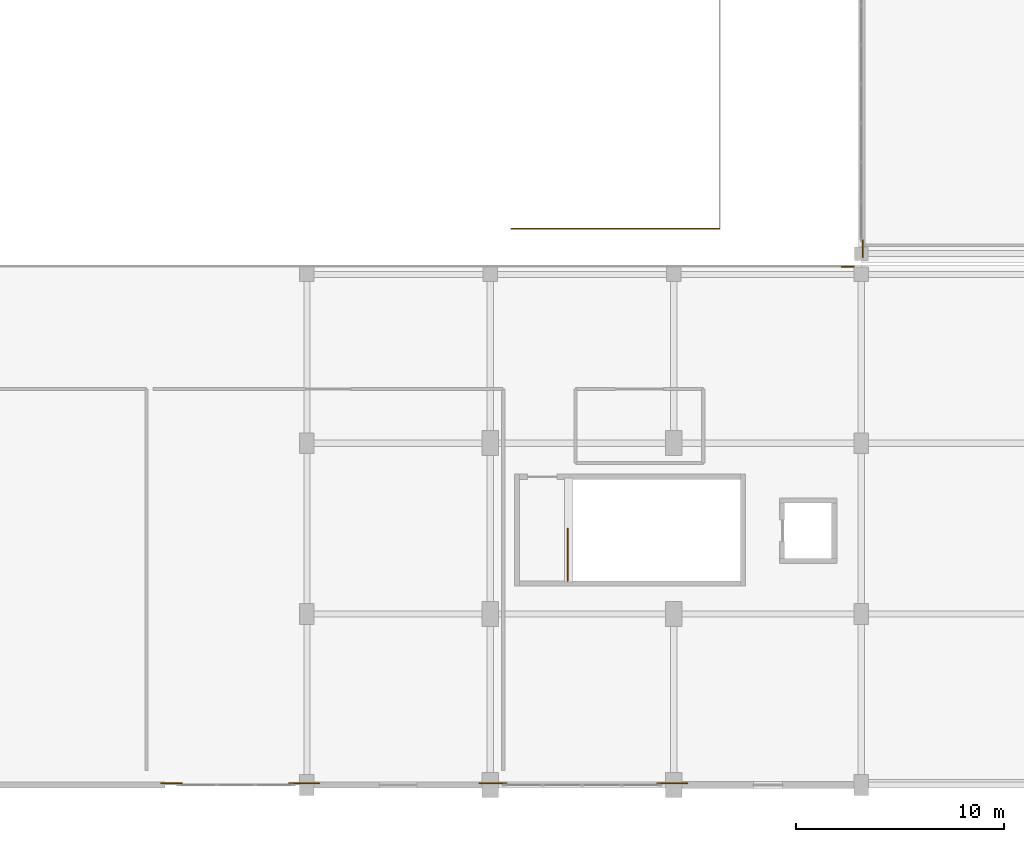
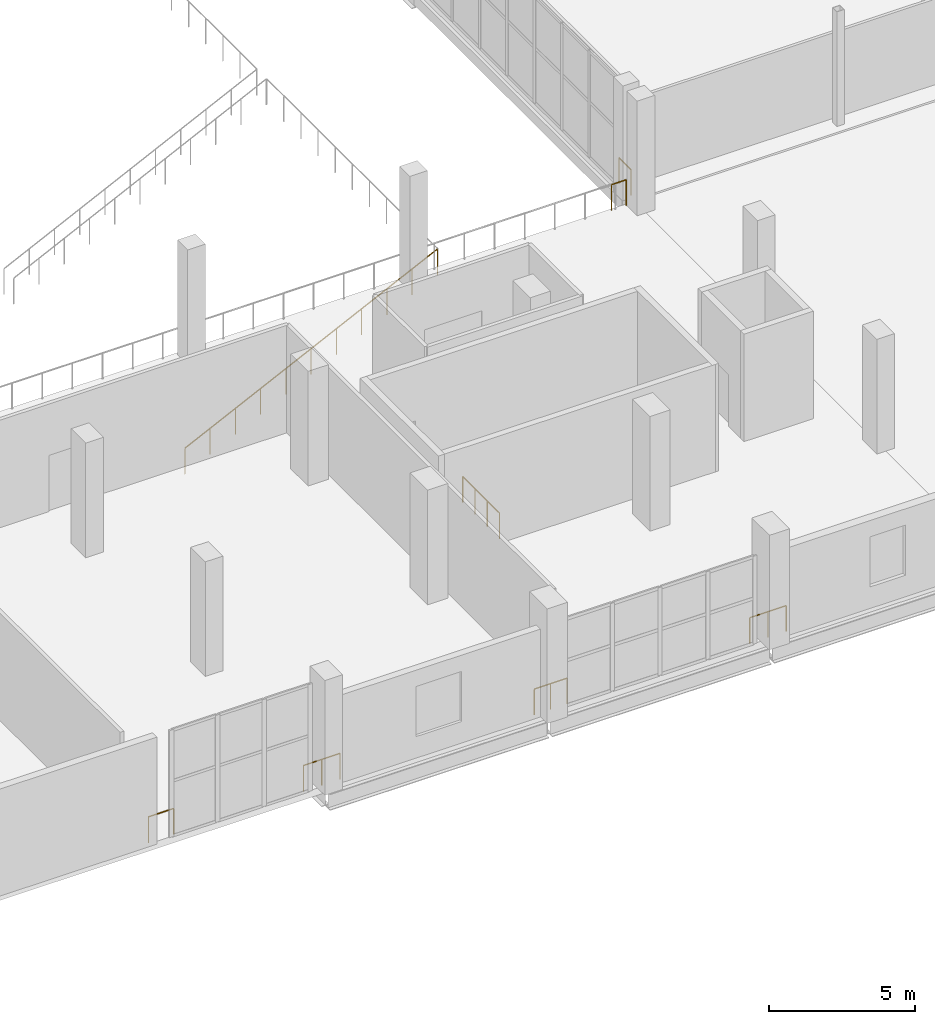
# One storey, part 92 of 104: 8 railings.
"""IFC4 building model written with IfcOpenShell, lengths in metres."""

from ifc_helpers import new_model, si_unit, direction, frame, origin, origin_2d, place, context, subcontext, project, spatial, circle, extrude, material, type_object, element, save


model = new_model("IFC4")

# Units and contexts
model_context = context("Model", 3, precision=1e-05, world=origin(), true_north=direction((0.0, 1.0)))
body_context = subcontext(model_context, "Body", "Model", "MODEL_VIEW")
ifc_project = project(units=[si_unit("LENGTHUNIT", "METRE"), si_unit("AREAUNIT", "SQUARE_METRE"), si_unit("VOLUMEUNIT", "CUBIC_METRE"), si_unit("PLANEANGLEUNIT", "RADIAN"), si_unit("MASSUNIT", "GRAM", prefix="KILO")], contexts=[model_context])

# Site, building, storey
site_placement = place(None, origin())
site = spatial("IfcSite", under=ifc_project, at=site_placement, CompositionType="ELEMENT")
building_placement = place(site_placement, origin())
building = spatial("IfcBuilding", under=site, at=building_placement, Name="Koshinbarg Plaza Stadium", CompositionType="ELEMENT")
storey_placement = place(building_placement, frame((0.0, 0.0, 19.800048828125)))
storey = spatial("IfcBuildingStorey", under=building, at=storey_placement, Name="L04", CompositionType="ELEMENT", Elevation=19.800048828125)

# Railings
ifc_material_1 = material(Name="Toughened laminated glass and stainless steel sightline balustrade", Category="steel")
railing_type_1 = type_object("IfcRailingType", Name="RL-BOWL-1100", PredefinedType="BALUSTRADE", material=ifc_material_1)
railing_1_placement = place(storey_placement, frame((189.47998046875, 25.31494140625, 0.0)))
element("IfcRailing", 1, at=railing_1_placement, inside=storey, type_object=railing_type_1, Name="L04 deck edge safety balustrade 0304", PredefinedType="BALUSTRADE", context=body_context, shape_type="SweptSolid", body=[
    extrude(circle(Radius=0.02392578125, at=origin_2d()), frame((0.0, 0.0, 1.076171875), z_axis=(0.0, 1.0, 0.0), x_axis=(-1.0, 0.0, 0.0)), (0.0, 0.0, 1.0), 0.82568359375),
    extrude(circle(Radius=0.02099609375, at=origin_2d()), origin(), (0.0, 0.0, 1.0), 1.052001953125),
    extrude(circle(Radius=0.02099609375, at=origin_2d()), frame((0.0, 0.82568359375, 0.0)), (0.0, 0.0, 1.0), 1.052001953125),
])
railing_2_placement = place(storey_placement, frame((188.451171875, 24.875, 0.0)))
element("IfcRailing", 2, at=railing_2_placement, inside=storey, type_object=railing_type_1, Name="L04 deck edge safety balustrade 0341", PredefinedType="BALUSTRADE", context=body_context, shape_type="SweptSolid", body=[
    extrude(circle(Radius=0.02392578125, at=origin_2d()), frame((0.0, 0.0, 1.076171875), z_axis=(1.0, 0.0, 0.0), x_axis=(0.0, 1.0, 0.0)), (0.0, 0.0, 1.0), 0.5888671875),
    extrude(circle(Radius=0.02099609375, at=origin_2d()), origin(), (0.0, 0.0, 1.0), 1.052001953125),
    extrude(circle(Radius=0.02099609375, at=origin_2d()), frame((0.5888671875, 0.0, 0.0)), (0.0, 0.0, 1.0), 1.052001953125),
])
railing_3_placement = place(storey_placement, frame((181.062744140625, 0.080078125, 0.0)))
element("IfcRailing", 3, at=railing_3_placement, inside=storey, type_object=railing_type_1, Name="L04 deck edge safety balustrade 0342", PredefinedType="BALUSTRADE", context=body_context, shape_type="SweptSolid", body=[
    extrude(circle(Radius=0.02392578125, at=origin_2d()), frame((0.0, 0.0, 1.076171875), z_axis=(-1.0, 0.0, 0.0), x_axis=(0.0, -1.0, 0.0)), (0.0, 0.0, 1.0), 1.448486328125),
    extrude(circle(Radius=0.02099609375, at=origin_2d()), origin(), (0.0, 0.0, 1.0), 1.052001953125),
    extrude(circle(Radius=0.02099609375, at=origin_2d()), frame((-0.72412109375, 0.0, 0.0)), (0.0, 0.0, 1.0), 1.052001953125),
    extrude(circle(Radius=0.02099609375, at=origin_2d()), frame((-1.448486328125, 0.0, 0.0)), (0.0, 0.0, 1.0), 1.052001953125),
])
railing_4_placement = place(storey_placement, frame((172.37548828125, 0.080078125, 0.0)))
element("IfcRailing", 4, at=railing_4_placement, inside=storey, type_object=railing_type_1, Name="L04 deck edge safety balustrade 0343", PredefinedType="BALUSTRADE", context=body_context, shape_type="SweptSolid", body=[
    extrude(circle(Radius=0.02392578125, at=origin_2d()), frame((0.0, 0.0, 1.076171875), z_axis=(-1.0, 0.0, 0.0), x_axis=(0.0, -1.0, 0.0)), (0.0, 0.0, 1.0), 1.298583984375),
    extrude(circle(Radius=0.02099609375, at=origin_2d()), origin(), (0.0, 0.0, 1.0), 1.052001953125),
    extrude(circle(Radius=0.02099609375, at=origin_2d()), frame((-0.6494140625, 0.0, 0.0)), (0.0, 0.0, 1.0), 1.052001953125),
    extrude(circle(Radius=0.02099609375, at=origin_2d()), frame((-1.298583984375, 0.0, 0.0)), (0.0, 0.0, 1.0), 1.052001953125),
])
railing_5_placement = place(storey_placement, frame((163.388916015625, 0.080078125, 0.0)))
element("IfcRailing", 5, at=railing_5_placement, inside=storey, type_object=railing_type_1, Name="L04 deck edge safety balustrade 0344", PredefinedType="BALUSTRADE", context=body_context, shape_type="SweptSolid", body=[
    extrude(circle(Radius=0.02392578125, at=origin_2d()), frame((0.0, 0.0, 1.076171875), z_axis=(-1.0, 0.0, 0.0), x_axis=(0.0, -1.0, 0.0)), (0.0, 0.0, 1.0), 1.448486328125),
    extrude(circle(Radius=0.02099609375, at=origin_2d()), origin(), (0.0, 0.0, 1.0), 1.052001953125),
    extrude(circle(Radius=0.02099609375, at=origin_2d()), frame((-0.72412109375, 0.0, 0.0)), (0.0, 0.0, 1.0), 1.052001953125),
    extrude(circle(Radius=0.02099609375, at=origin_2d()), frame((-1.448486328125, 0.0, 0.0)), (0.0, 0.0, 1.0), 1.052001953125),
])
railing_6_placement = place(storey_placement, frame((156.798583984375, 0.080078125, 0.0)))
element("IfcRailing", 6, at=railing_6_placement, inside=storey, type_object=railing_type_1, Name="L04 deck edge safety balustrade 0345", PredefinedType="BALUSTRADE", context=body_context, shape_type="SweptSolid", body=[
    extrude(circle(Radius=0.02392578125, at=origin_2d()), frame((0.0, 0.0, 1.076171875), z_axis=(-1.0, 0.0, 0.0), x_axis=(0.0, -1.0, 0.0)), (0.0, 0.0, 1.0), 0.9990234375),
    extrude(circle(Radius=0.02099609375, at=origin_2d()), origin(), (0.0, 0.0, 1.0), 1.052001953125),
    extrude(circle(Radius=0.02099609375, at=origin_2d()), frame((-0.9990234375, 0.0, 0.0)), (0.0, 0.0, 1.0), 1.052001953125),
])
ifc_material_2 = material(Name="Galvanized painted steel guardrail", Category="steel")
railing_type_2 = type_object("IfcRailingType", Name="RL-GUARD-1100", PredefinedType="GUARDRAIL", material=ifc_material_2)
railing_7_placement = place(storey_placement, frame((172.60009765625, 26.679931640625, -6.580078125)))
element("IfcRailing", 7, at=railing_7_placement, inside=storey, type_object=railing_type_2, Name="UT-E01 stepped aisle guard L", PredefinedType="GUARDRAIL", context=body_context, shape_type="SweptSolid", body=[
    extrude(circle(Radius=0.02392578125, at=origin_2d()), frame((0.0, 0.0, 1.076171875), z_axis=(0.900110607261, 0.0, 0.435661445043), x_axis=(0.0, 1.0, 0.0)), (0.0, 0.0, 1.0), 11.10986328125),
    extrude(circle(Radius=0.02099609375, at=origin_2d()), origin(), (0.0, 0.0, 1.0), 1.052001953125),
    extrude(circle(Radius=0.02099609375, at=origin_2d()), frame((1.0, 0.0, 0.48388671875)), (0.0, 0.0, 1.0), 1.052001953125),
    extrude(circle(Radius=0.02099609375, at=origin_2d()), frame((2.0, 0.0, 0.968017578125)), (0.0, 0.0, 1.0), 1.052001953125),
    extrude(circle(Radius=0.02099609375, at=origin_2d()), frame((3.0, 0.0, 1.4521484375)), (0.0, 0.0, 1.0), 1.052001953125),
    extrude(circle(Radius=0.02099609375, at=origin_2d()), frame((4.0, 0.0, 1.93603515625)), (0.0, 0.0, 1.0), 1.052001953125),
    extrude(circle(Radius=0.02099609375, at=origin_2d()), frame((5.0, 0.0, 2.419921875)), (0.0, 0.0, 1.0), 1.052001953125),
    extrude(circle(Radius=0.02099609375, at=origin_2d()), frame((6.0, 0.0, 2.904052734375)), (0.0, 0.0, 1.0), 1.052001953125),
    extrude(circle(Radius=0.02099609375, at=origin_2d()), frame((7.0, 0.0, 3.38818359375)), (0.0, 0.0, 1.0), 1.052001953125),
    extrude(circle(Radius=0.02099609375, at=origin_2d()), frame((8.0, 0.0, 3.8720703125)), (0.0, 0.0, 1.0), 1.052001953125),
    extrude(circle(Radius=0.02099609375, at=origin_2d()), frame((9.0, 0.0, 4.35595703125)), (0.0, 0.0, 1.0), 1.052001953125),
    extrude(circle(Radius=0.02099609375, at=origin_2d()), frame((10.0, 0.0, 4.840087890625)), (0.0, 0.0, 1.0), 1.052001953125),
])
railing_8_placement = place(storey_placement, frame((175.31005859375, 9.800048828125, 0.0)))
element("IfcRailing", 8, at=railing_8_placement, inside=storey, type_object=railing_type_2, Name="L04 C14 top stairwell guard 1", PredefinedType="GUARDRAIL", context=body_context, shape_type="SweptSolid", body=[
    extrude(circle(Radius=0.02392578125, at=origin_2d()), frame((0.0, 0.0, 1.076171875), z_axis=(0.0, 1.0, 0.0), x_axis=(-1.0, 0.0, 0.0)), (0.0, 0.0, 1.0), 2.510009765625),
    extrude(circle(Radius=0.02099609375, at=origin_2d()), origin(), (0.0, 0.0, 1.0), 1.052001953125),
    extrude(circle(Radius=0.02099609375, at=origin_2d()), frame((0.0, 0.836669921875, 0.0)), (0.0, 0.0, 1.0), 1.052001953125),
    extrude(circle(Radius=0.02099609375, at=origin_2d()), frame((0.0, 1.67333984375, 0.0)), (0.0, 0.0, 1.0), 1.052001953125),
    extrude(circle(Radius=0.02099609375, at=origin_2d()), frame((0.0, 2.510009765625, 0.0)), (0.0, 0.0, 1.0), 1.052001953125),
])

save(model, "model.ifc")
